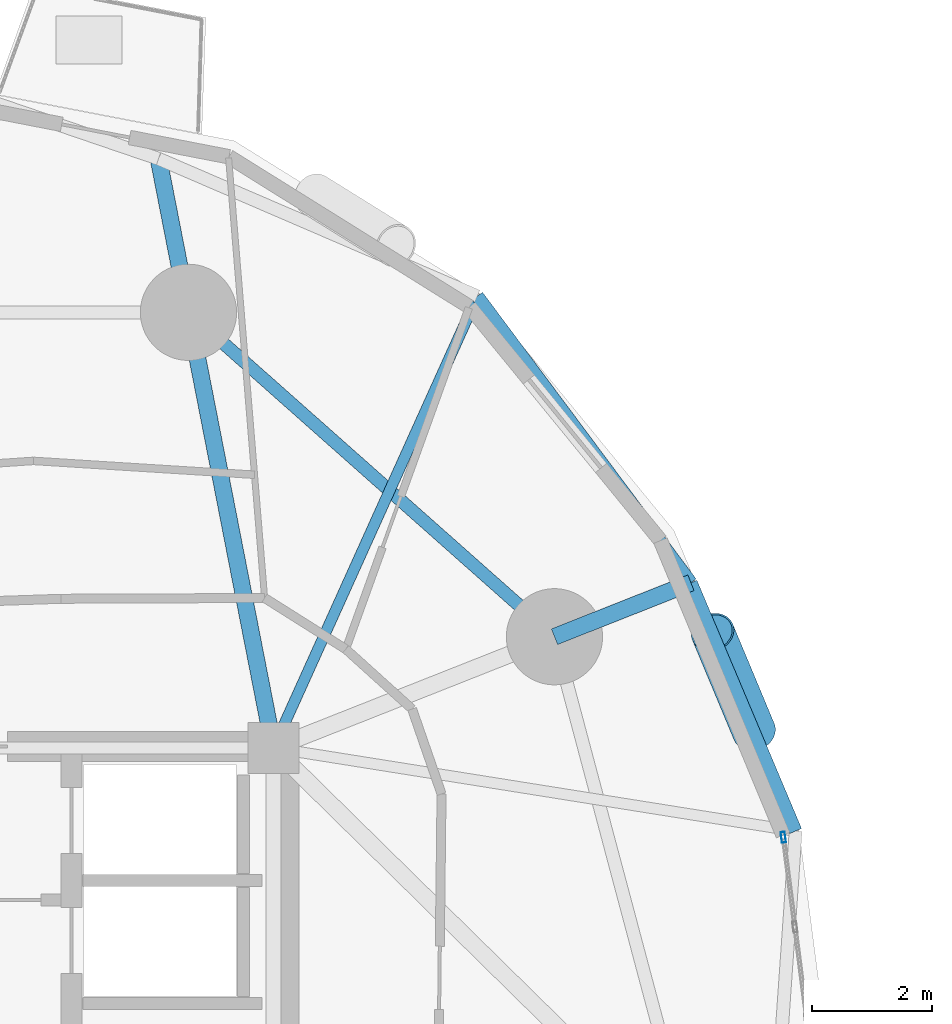
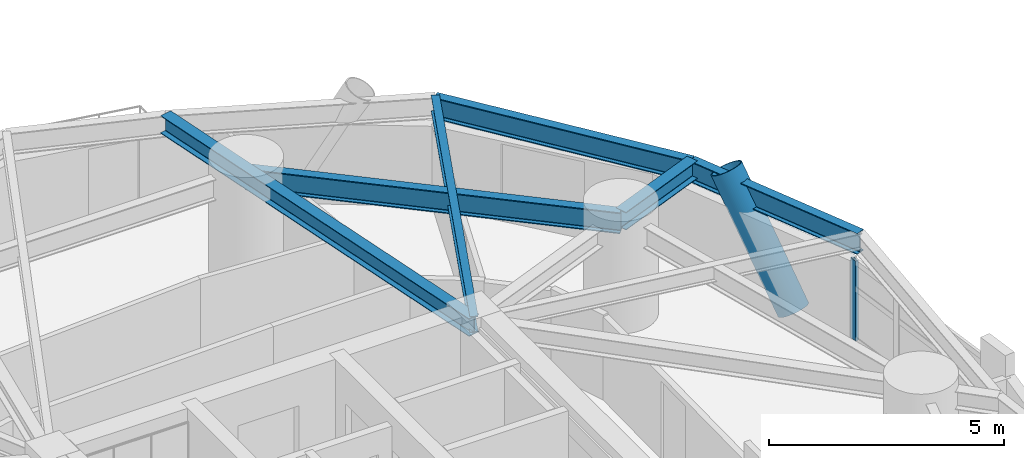
# One storey, part 3 of 15: 6 beams, 2 members, 1 element without a shape of its own.
"""IFC4 building model written with IfcOpenShell, lengths in metres."""

from ifc_helpers import new_model, si_unit, direction, frame, origin, origin_2d, place, context, subcontext, project, spatial, hollow_rectangle, hollow_circle, i_section, extrude, material, layer, layer_set, material_profile, profile_set, type_object, element, aggregate, save


model = new_model("IFC4")

# Units and contexts
model_context = context("Model", 3, precision=1e-05, world=origin(), true_north=direction((0.0, 1.0)))
body_context = subcontext(model_context, "Body", "Model", "MODEL_VIEW")
ifc_project = project(units=[si_unit("LENGTHUNIT", "METRE"), si_unit("AREAUNIT", "SQUARE_METRE"), si_unit("VOLUMEUNIT", "CUBIC_METRE"), si_unit("PLANEANGLEUNIT", "RADIAN"), si_unit("MASSUNIT", "GRAM", prefix="KILO")], contexts=[model_context])

# Site, building, storey
site_placement = place(None, origin())
site = spatial("IfcSite", under=ifc_project, at=site_placement, CompositionType="ELEMENT")
building_placement = place(site_placement, origin())
building = spatial("IfcBuilding", under=site, at=building_placement, Name="Cununo Teusaquillo Station Towers", CompositionType="ELEMENT")
storey_placement = place(building_placement, frame((0.0, 0.0, 24.909912109375)))
storey = spatial("IfcBuildingStorey", under=building, at=storey_placement, Name="L06", CompositionType="ELEMENT", Elevation=24.909912109375)

# Beams
ifc_material_1 = material(Name="Steel ASTM A572 Grade 50", Category="steel")
ifc_material_profile_1 = material_profile(ifc_material_1, i_section(OverallWidth=0.180908203125, OverallDepth=0.4169921875, WebThickness=0.010986328125, FlangeThickness=0.018310546875, FilletRadius=0.012939453125, at=origin_2d()), Name="W16X57")
ifc_profile_set_1 = profile_set([ifc_material_profile_1], Name="Steel ASTM A572 Grade 50")
beam_type_1 = type_object("IfcBeamType", Name="BM-JOIST-1", PredefinedType="JOIST", material=ifc_profile_set_1)
beam_1_placement = place(storey_placement, frame((21.675048828125, 31.3798828125, 2.441650390625), z_axis=(0.41127716143, 0.911510338113, 0.0), x_axis=(-0.911510338113, 0.41127716143, 0.0)))
element("IfcBeam", 1, at=beam_1_placement, inside=storey, type_object=beam_type_1, Name="L06 Tower A Radial Spandrel Joist V03", PredefinedType="JOIST", context=body_context, shape_type="SweptSolid", body=[
    extrude(i_section(OverallWidth=0.180908203125, OverallDepth=0.4169921875, WebThickness=0.010986328125, FlangeThickness=0.018310546875, FilletRadius=0.012939453125, at=origin_2d()), origin(), (0.0, 0.0, 1.0), 8.24169921875),
])
ifc_material_2 = material(Name="Steel ASTM A572 Grade 50", Category="steel")
ifc_material_profile_2 = material_profile(ifc_material_2, i_section(OverallWidth=0.280029296875, OverallDepth=0.462890625, WebThickness=0.0107421875, FlangeThickness=0.017333984375, FilletRadius=0.013916015625, at=origin_2d()), Name="W18X76")
ifc_profile_set_2 = profile_set([ifc_material_profile_2], Name="Steel ASTM A572 Grade 50")
beam_type_2 = type_object("IfcBeamType", Name="BM-RAD-G1", PredefinedType="BEAM", material=ifc_profile_set_2)
beam_2_placement = place(storey_placement, frame((26.347412109375, 33.228515625, 2.418701171875), z_axis=(0.929850112637, 0.367938538384, 0.0), x_axis=(-0.367938538384, 0.929850112637, 0.0)))
element("IfcBeam", 2, at=beam_2_placement, inside=storey, type_object=beam_type_2, Name="L06 Tower A Perimeter Overhang Girder 02B", PredefinedType="BEAM", context=body_context, shape_type="SweptSolid", body=[
    extrude(i_section(OverallWidth=0.280029296875, OverallDepth=0.462890625, WebThickness=0.0107421875, FlangeThickness=0.017333984375, FilletRadius=0.013916015625, at=origin_2d()), origin(), (0.0, 0.0, 1.0), 2.4404296875),
])
beam_3_placement = place(storey_placement, frame((21.675048828125, 31.3798828125, 2.418701171875), z_axis=(-0.191551733899, 0.981482518051, 0.0), x_axis=(-0.981482518051, -0.191551733899, 0.0)))
element("IfcBeam", 3, at=beam_3_placement, inside=storey, type_object=beam_type_2, Name="L06 Tower A Continuous Overhanging Radial Girder 03", PredefinedType="BEAM", context=body_context, shape_type="SweptSolid", body=[
    extrude(i_section(OverallWidth=0.280029296875, OverallDepth=0.462890625, WebThickness=0.0107421875, FlangeThickness=0.017333984375, FilletRadius=0.013916015625, at=origin_2d()), origin(), (0.0, 0.0, 1.0), 9.982177734375),
])
ifc_material_3 = material(Name="Steel ASTM A572 Grade 50", Category="steel")
ifc_material_profile_3 = material_profile(ifc_material_3, i_section(OverallWidth=0.214111328125, OverallDepth=0.549072265625, WebThickness=0.0146484375, FlangeThickness=0.023681640625, FilletRadius=0.014892578125, at=origin_2d()), Name="W21X93")
ifc_profile_set_3 = profile_set([ifc_material_profile_3], Name="Steel ASTM A572 Grade 50")
beam_type_3 = type_object("IfcBeamType", Name="BM-RING-Z1", PredefinedType="SPANDREL", material=ifc_profile_set_3)
beam_4_placement = place(storey_placement, frame((26.347412109375, 33.228515625, 2.37548828125), z_axis=(-0.74832120039, 0.66333655187, 0.0), x_axis=(-0.66333655187, -0.74832120039, 0.0)))
element("IfcBeam", 4, at=beam_4_placement, inside=storey, type_object=beam_type_3, Name="L06 Tower A Structural Column Ring Girder 02", PredefinedType="SPANDREL", context=body_context, shape_type="SweptSolid", body=[
    extrude(i_section(OverallWidth=0.214111328125, OverallDepth=0.549072265625, WebThickness=0.0146484375, FlangeThickness=0.023681640625, FilletRadius=0.014892578125, at=origin_2d()), origin(), (0.0, 0.0, 1.0), 8.1328125),
])
beam_5_placement = place(storey_placement, frame((30.35791015625, 29.997314453125, 2.37548828125), z_axis=(-0.388553804392, 0.921426036691, 0.0), x_axis=(-0.921426036691, -0.388553804392, 0.0)))
element("IfcBeam", 5, at=beam_5_placement, inside=storey, type_object=beam_type_3, Name="L06 Tower A Spandrel Ring Beam 02", PredefinedType="SPANDREL", context=body_context, shape_type="SweptSolid", body=[
    extrude(i_section(OverallWidth=0.214111328125, OverallDepth=0.549072265625, WebThickness=0.0146484375, FlangeThickness=0.023681640625, FilletRadius=0.014892578125, at=origin_2d()), origin(), (0.0, 0.0, 1.0), 4.481201171875),
])
beam_6_placement = place(storey_placement, frame((28.61669921875, 34.12646484375, 2.37548828125), z_axis=(-0.597585408829, 0.801805262613, 0.0), x_axis=(-0.801805262613, -0.597585408829, 0.0)))
element("IfcBeam", 6, at=beam_6_placement, inside=storey, type_object=beam_type_3, Name="L06 Tower A Spandrel Ring Beam 03", PredefinedType="SPANDREL", context=body_context, shape_type="SweptSolid", body=[
    extrude(i_section(OverallWidth=0.214111328125, OverallDepth=0.549072265625, WebThickness=0.0146484375, FlangeThickness=0.023681640625, FilletRadius=0.014892578125, at=origin_2d()), origin(), (0.0, 0.0, 1.0), 5.94384765625),
])

# Curtain wall, member
ifc_material_4 = material(Name="Ceramic-fritted dark low-E double glazing", Category="glass")
ifc_layer = layer(ifc_material_4, 0.179931640625)
ifc_layer_set = layer_set([ifc_layer], Name="Ceramic-fritted dark low-E double glazing")
curtain_wall_type = type_object("IfcCurtainWallType", Name="CW-SYS-02", PredefinedType="USERDEFINED", material=ifc_layer_set)
curtain_wall_placement = place(storey_placement, origin())
curtain_wall = element("IfcCurtainWall", 7, at=curtain_wall_placement, inside=storey, type_object=curtain_wall_type, Name="L06 Tower A Facade Curtain Wall C00", ObjectType="FRITTED GLAZING", PredefinedType="USERDEFINED")
ifc_material_5 = material(Name="Anodised dark bronze aluminium EN AW-6063-T6", Category="aluminium")
ifc_material_profile_4 = material_profile(ifc_material_5, hollow_rectangle(XDim=0.070068359375, YDim=0.179931640625, WallThickness=0.00390625, at=origin_2d()), Name="CW-MULL-70x180")
ifc_profile_set_4 = profile_set([ifc_material_profile_4], Name="Anodised dark bronze aluminium EN AW-6063-T6")
member_type_1 = type_object("IfcMemberType", Name="CWM-180", PredefinedType="MULLION", material=ifc_profile_set_4)
member_1_placement = place(storey_placement, frame((30.153076171875, 29.894775390625, 0.0), z_axis=(0.0, 0.0, 1.0), x_axis=(0.991736471431, 0.128291742659, 0.0)))
member_1 = element("IfcMember", 8, at=member_1_placement, type_object=member_type_1, Name="CW-02 mullion 1", PredefinedType="MULLION", context=body_context, shape_type="SweptSolid", body=[
    extrude(hollow_rectangle(XDim=0.070068359375, YDim=0.179931640625, WallThickness=0.00390625, at=origin_2d()), origin(), (0.0, 0.0, 1.0), 2.072998046875),
])
aggregate(curtain_wall, [member_1])

# Member
ifc_material_6 = material(Name="Steel EN 10025-2 S355J2", Category="steel")
ifc_material_profile_5 = material_profile(ifc_material_6, hollow_circle(Radius=0.360107421875, WallThickness=0.028076171875, at=origin_2d()), Name="CHS 720x28")
ifc_profile_set_5 = profile_set([ifc_material_profile_5], Name="Steel EN 10025-2 S355J2")
member_type_2 = type_object("IfcMemberType", Name="MBR-DIAG-Z1", PredefinedType="BRACE", material=ifc_profile_set_5)
member_2_placement = place(storey_placement, frame((29.66796875, 31.650390625, -0.139892578125), z_axis=(-0.201904111113, 0.483826836681, 0.851555237212), x_axis=(-0.922867129174, -0.385118503698, 0.0)))
element("IfcMember", 9, at=member_2_placement, inside=storey, type_object=member_type_2, Name="L06 Tower A Folded-Zigzag Diagrid Tube C01", PredefinedType="BRACE", context=body_context, shape_type="SweptSolid", body=[
    extrude(hollow_circle(Radius=0.360107421875, WallThickness=0.028076171875, at=origin_2d()), origin(), (0.0, 0.0, 1.0), 3.417236328125),
])

save(model, "model.ifc")
